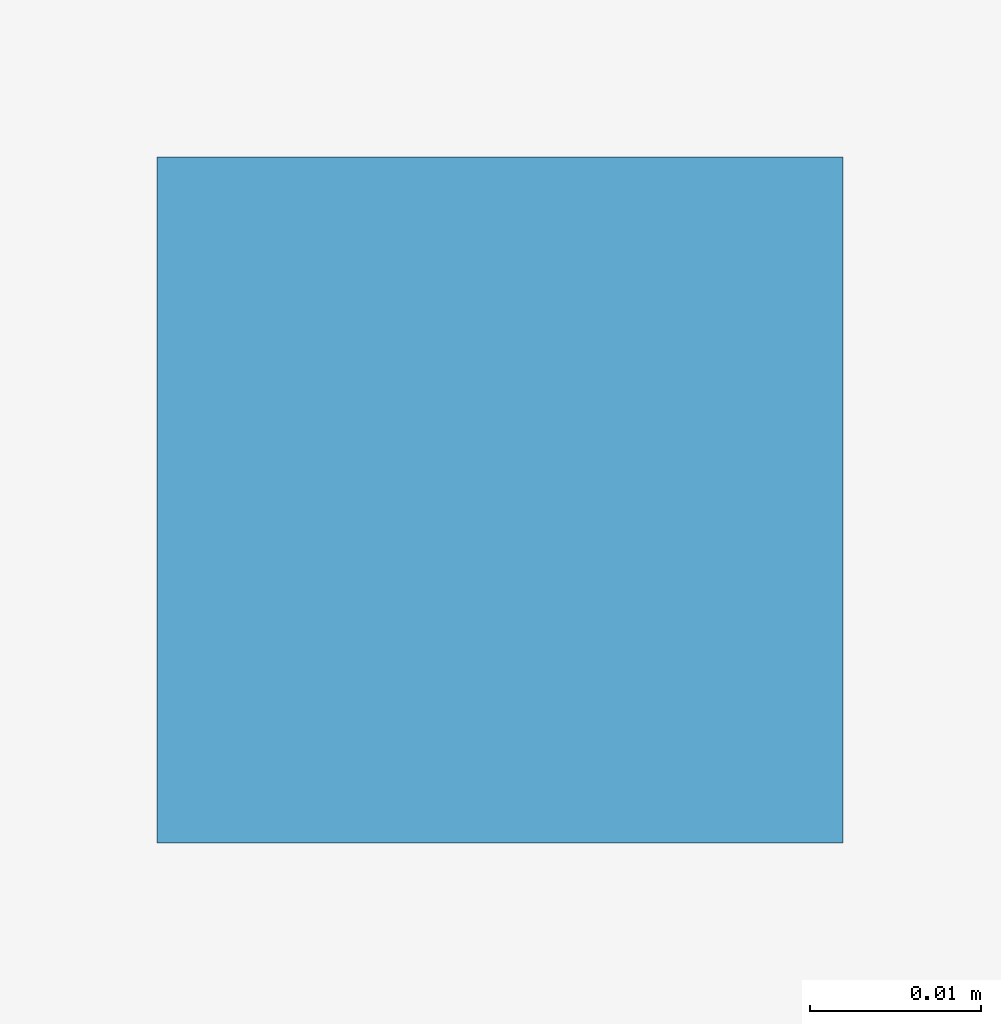
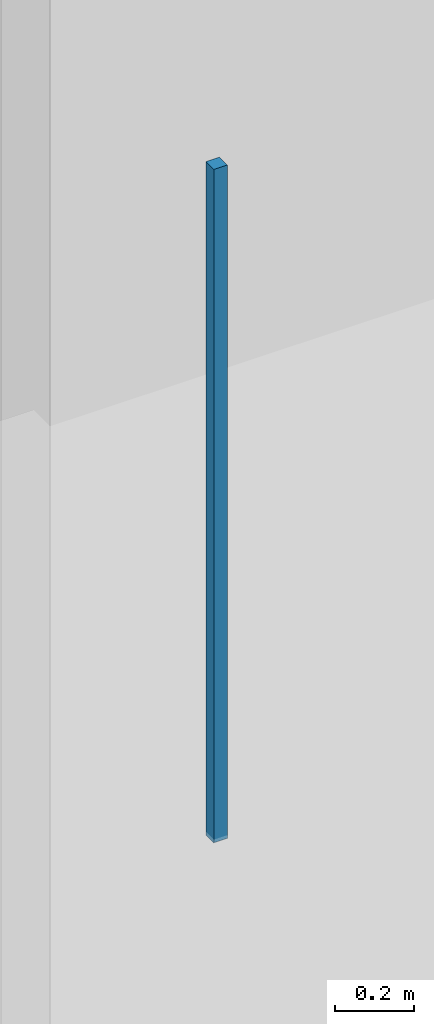
# One storey, part 116 of 157: 1 discrete accessory.
"""IFC4 building model written with IfcOpenShell, lengths in metres."""

import ifcopenshell
import ifcopenshell.guid

model = None  # the IFC model being written
_history = None  # IfcOwnerHistory: only IFC2X3 demands one
_inside = {}  # id of a spatial element -> (the spatial element, [elements in it])
_under = {}  # id of a project, library or spatial element -> (it, [spatial elements below it])
_declared = {}  # id of a project -> (the project, [libraries it declares])
_typed = {}  # id of a type object -> (the type object, [elements of that type])
_made_of = {}  # id of a material, layer set ... -> (it, [elements and type objects made of it])


def new_model(schema):
    """Start an empty IFC model of exactly this schema.

    Asked for "IFC4X3", IfcOpenShell would pick the latest addendum, in which some entities
    have other attributes; the version numbers below select the first issue.
    IFC2X3 requires an IfcOwnerHistory on every rooted entity: one is made here for all.
    """
    global model, _history
    if schema == "IFC4X3":
        model = ifcopenshell.file(schema_version=(4, 3, 0, 0))
    else:
        model = ifcopenshell.file(schema=schema)
    _inside.clear()
    _under.clear()
    _declared.clear()
    _typed.clear()
    _made_of.clear()
    _history = None
    if model.schema == "IFC2X3":
        org = make("IfcOrganization", Name="unknown")
        user = make(
            "IfcPersonAndOrganization",
            ThePerson=make("IfcPerson", FamilyName="unknown"),
            TheOrganization=org,
        )
        app = make(
            "IfcApplication",
            ApplicationDeveloper=org,
            Version="unknown",
            ApplicationFullName="unknown",
            ApplicationIdentifier="unknown",
        )
        _history = make(
            "IfcOwnerHistory",
            OwningUser=user,
            OwningApplication=app,
            ChangeAction="ADDED",
            CreationDate=0,
        )
    return model


def make(cls, **values):
    """One entity of the class cls with the attributes given. An attribute that is None is left unset."""
    return model.create_entity(
        cls, **{name: value for name, value in values.items() if value is not None}
    )


def rooted(cls, **values):
    """An entity with a GlobalId (a new one), such as an element, a storey or a relation."""
    return make(cls, GlobalId=ifcopenshell.guid.new(), OwnerHistory=_history, **values)


def si_unit(unit_type, name, prefix=None):
    """IfcSIUnit, for example si_unit("LENGTHUNIT", "METRE", prefix="MILLI")."""
    return make("IfcSIUnit", UnitType=unit_type, Prefix=prefix, Name=name)


def assignment(units):
    """IfcUnitAssignment: the units of a project."""
    return None if units is None else make("IfcUnitAssignment", Units=units)


def point(xyz):
    """IfcCartesianPoint."""
    return None if xyz is None else make("IfcCartesianPoint", Coordinates=xyz)


def direction(xyz):
    """IfcDirection."""
    return None if xyz is None else make("IfcDirection", DirectionRatios=xyz)


def frame(location, z_axis=None, x_axis=None):
    """IfcAxis2Placement3D, a coordinate frame: its origin and axes. An axis left out is left unset."""
    return make(
        "IfcAxis2Placement3D",
        Location=point(location),
        Axis=direction(z_axis),
        RefDirection=direction(x_axis),
    )


def frame_2d(location, x_axis=None):
    """IfcAxis2Placement2D, a coordinate frame in the plane: its origin and x axis."""
    return make(
        "IfcAxis2Placement2D", Location=point(location), RefDirection=direction(x_axis)
    )


def origin():
    """The frame at (0, 0, 0) with its axes left unset."""
    return frame((0.0, 0.0, 0.0))


def origin_2d():
    """The frame at (0, 0) in the plane with its x axis left unset."""
    return frame_2d((0.0, 0.0))


def place(relative_to, where):
    """IfcLocalPlacement: puts the frame where relative to a parent placement (None: the world)."""
    return make(
        "IfcLocalPlacement", PlacementRelTo=relative_to, RelativePlacement=where
    )


def context(
    kind, dimensions, precision=None, world=None, true_north=None, identifier=None
):
    """IfcGeometricRepresentationContext, for example the 3D "Model" context."""
    return make(
        "IfcGeometricRepresentationContext",
        ContextIdentifier=identifier,
        ContextType=kind,
        CoordinateSpaceDimension=dimensions,
        Precision=precision,
        WorldCoordinateSystem=world,
        TrueNorth=true_north,
    )


def subcontext(parent, identifier, kind, view, scale=None):
    """IfcGeometricRepresentationSubContext, for example "Body" below "Model"."""
    return make(
        "IfcGeometricRepresentationSubContext",
        ContextIdentifier=identifier,
        ContextType=kind,
        ParentContext=parent,
        TargetScale=scale,
        TargetView=view,
    )


def project(units=None, contexts=None):
    """IfcProject with its units and contexts."""
    return rooted(
        "IfcProject",
        Name="project",
        RepresentationContexts=contexts,
        UnitsInContext=assignment(units),
    )


def spatial(cls, under=None, at=None, **own):
    """A site, building, storey or space (cls), placed at a placement, below another one or the project."""
    s = rooted(cls, ObjectPlacement=at, **own)
    if under is not None:
        _under.setdefault(under.id(), (under, []))[1].append(s)
    return s


def profile(cls, at=None, kind="AREA", **sizes):
    """A parametric profile (cls). Its sizes go by their IFC names, for example OverallWidth=200.0."""
    return make(cls, ProfileType=kind, Position=at, **sizes)


def rectangle(**sizes):
    """IfcRectangleProfileDef."""
    return profile("IfcRectangleProfileDef", **sizes)


def extrude(swept, where, along, depth):
    """IfcExtrudedAreaSolid: the profile swept, set in the frame where, extruded along a direction by depth."""
    return make(
        "IfcExtrudedAreaSolid",
        SweptArea=swept,
        Position=where,
        ExtrudedDirection=direction(along),
        Depth=depth,
    )


def shape(context_of_items, identifier, shape_type, items):
    """IfcShapeRepresentation: the items that make up one representation, for example the "Body"."""
    return make(
        "IfcShapeRepresentation",
        ContextOfItems=context_of_items,
        RepresentationIdentifier=identifier,
        RepresentationType=shape_type,
        Items=items,
    )


def material(Name=None, Category=None):
    """IfcMaterial."""
    return make("IfcMaterial", Name=Name, Category=Category)


def made_of(thing, what):
    """Note that an element or type object is made of a material, layer set ...; save() writes the relation."""
    if what is not None:
        _made_of.setdefault(what.id(), (what, []))[1].append(thing)
    return thing


def type_object(cls, material=None, **own):
    """A type object (cls), such as IfcWallType, which elements share."""
    return made_of(rooted(cls, **own), material)


def element(
    cls,
    number,
    at=None,
    inside=None,
    cuts=None,
    type_object=None,
    material=None,
    context=None,
    identifier="Body",
    shape_type=None,
    held_by="IfcProductDefinitionShape",
    body=None,
    shapes=None,
    **own,
):
    """One element of the class cls, such as IfcWall. Its Tag is "e" and its number.

    at: its placement. inside: the storey or other place that contains it. cuts: it is an
    opening in that element (IfcRelVoidsElement). A single representation is given by context,
    identifier, shape_type and body (its items); several are given by shapes. held_by: the class
    of the entity that holds the representations. save() writes the other relations.
    """
    e = rooted(cls, Tag="e%d" % number, ObjectPlacement=at, **own)
    if body is not None:
        shapes = [shape(context, identifier, shape_type, body)]
    if shapes is not None:
        e.Representation = make(held_by, Representations=shapes)
    if inside is not None:
        _inside.setdefault(inside.id(), (inside, []))[1].append(e)
    if cuts is not None:
        rooted(
            "IfcRelVoidsElement", RelatingBuildingElement=cuts, RelatedOpeningElement=e
        )
    if type_object is not None:
        _typed.setdefault(type_object.id(), (type_object, []))[1].append(e)
    return made_of(e, material)


def aggregate(whole, parts):
    """IfcRelAggregates: a whole, such as a stair, and the parts it consists of."""
    return rooted("IfcRelAggregates", RelatingObject=whole, RelatedObjects=parts)


def save(model, path):
    """Write the relations noted so far, then the file.

    IfcRelAggregates (storeys below a building ...), IfcRelContainedInSpatialStructure (elements
    in a storey), IfcRelDefinesByType, IfcRelAssociatesMaterial and IfcRelDeclares: one each for
    every whole, place, type object, material and project.
    """
    for whole, parts in _under.values():
        aggregate(whole, parts)
    for where, things in _inside.values():
        rooted(
            "IfcRelContainedInSpatialStructure",
            RelatedElements=things,
            RelatingStructure=where,
        )
    for kind, things in _typed.values():
        rooted("IfcRelDefinesByType", RelatedObjects=things, RelatingType=kind)
    for what, things in _made_of.values():
        rooted("IfcRelAssociatesMaterial", RelatedObjects=things, RelatingMaterial=what)
    for by, libraries in _declared.values():
        rooted("IfcRelDeclares", RelatingContext=by, RelatedDefinitions=libraries)
    model.write(path)


model = new_model("IFC4")

# Units and contexts
model_context = context("Model", 3, precision=1e-05, world=origin(), true_north=direction((0.0, 1.0)))
body_context = subcontext(model_context, "Body", "Model", "MODEL_VIEW")
ifc_project = project(units=[si_unit("LENGTHUNIT", "METRE"), si_unit("AREAUNIT", "SQUARE_METRE"), si_unit("VOLUMEUNIT", "CUBIC_METRE"), si_unit("PLANEANGLEUNIT", "RADIAN"), si_unit("MASSUNIT", "GRAM", prefix="KILO")], contexts=[model_context])

# Site, building, storey
site_placement = place(None, origin())
site = spatial("IfcSite", under=ifc_project, at=site_placement, CompositionType="ELEMENT")
building_placement = place(site_placement, origin())
building = spatial("IfcBuilding", under=site, at=building_placement, Name="Varncliffe General Hospital", CompositionType="ELEMENT")
storey_placement = place(building_placement, frame((0.0, 0.0, 5.39990234375)))
storey = spatial("IfcBuildingStorey", under=building, at=storey_placement, Name="L01", CompositionType="ELEMENT", Elevation=5.39990234375)

# Discrete accessory
ifc_material = material(Name="Powder-coated hospital steel guardrail and handrail", Category="steel")
discrete_accessory_type = type_object("IfcDiscreteAccessoryType", Name="Suspended Ceiling Hanger Bracket CH01", PredefinedType="BRACKET", material=ifc_material)
discrete_accessory_placement = place(storey_placement, frame((20.39990234375, 118.10009765625, 3.18994140625), z_axis=(0.0, 0.0, 1.0), x_axis=(1.0, 0.0, 0.0)))
element("IfcDiscreteAccessory", 1, at=discrete_accessory_placement, inside=storey, type_object=discrete_accessory_type, Name="L01 Suspended Ceiling Hanger 111", PredefinedType="BRACKET", context=body_context, shape_type="SweptSolid", body=[
    extrude(rectangle(XDim=0.0400390625, YDim=0.0400390625, at=origin_2d()), origin(), (0.0, 0.0, 1.0), 2.090087890625),
])

save(model, "model.ifc")
